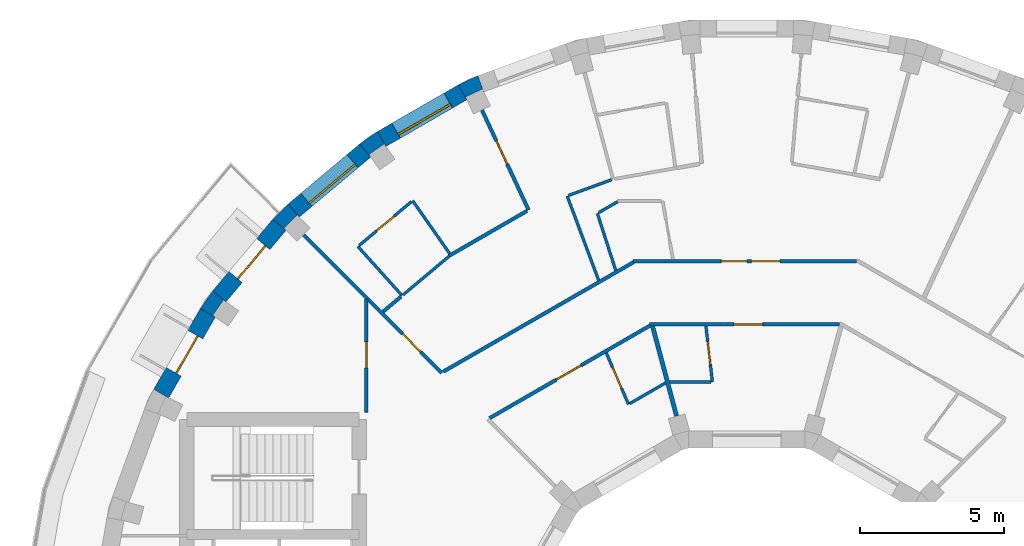
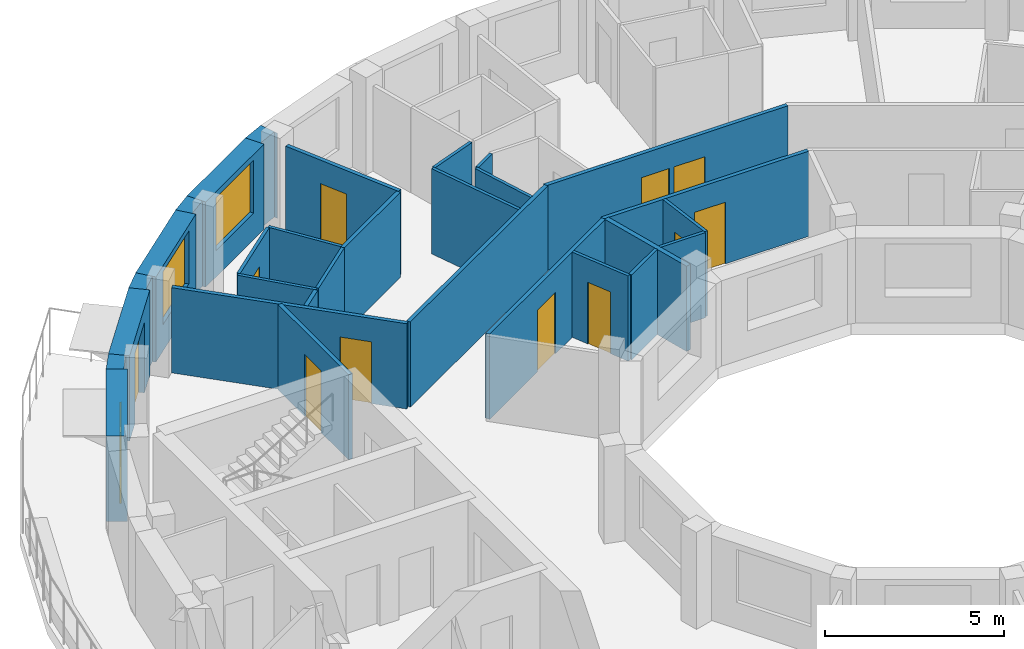
# One storey, part 7 of 10: 30 walls, 12 doors, 2 windows, 14 openings.
"""IFC4 building model written with IfcOpenShell, lengths in metres."""

import ifcopenshell
import ifcopenshell.guid

model = None  # the IFC model being written
_history = None  # IfcOwnerHistory: only IFC2X3 demands one
_inside = {}  # id of a spatial element -> (the spatial element, [elements in it])
_under = {}  # id of a project, library or spatial element -> (it, [spatial elements below it])
_declared = {}  # id of a project -> (the project, [libraries it declares])
_typed = {}  # id of a type object -> (the type object, [elements of that type])
_made_of = {}  # id of a material, layer set ... -> (it, [elements and type objects made of it])


def new_model(schema):
    """Start an empty IFC model of exactly this schema.

    Asked for "IFC4X3", IfcOpenShell would pick the latest addendum, in which some entities
    have other attributes; the version numbers below select the first issue.
    IFC2X3 requires an IfcOwnerHistory on every rooted entity: one is made here for all.
    """
    global model, _history
    if schema == "IFC4X3":
        model = ifcopenshell.file(schema_version=(4, 3, 0, 0))
    else:
        model = ifcopenshell.file(schema=schema)
    _inside.clear()
    _under.clear()
    _declared.clear()
    _typed.clear()
    _made_of.clear()
    _history = None
    if model.schema == "IFC2X3":
        org = make("IfcOrganization", Name="unknown")
        user = make(
            "IfcPersonAndOrganization",
            ThePerson=make("IfcPerson", FamilyName="unknown"),
            TheOrganization=org,
        )
        app = make(
            "IfcApplication",
            ApplicationDeveloper=org,
            Version="unknown",
            ApplicationFullName="unknown",
            ApplicationIdentifier="unknown",
        )
        _history = make(
            "IfcOwnerHistory",
            OwningUser=user,
            OwningApplication=app,
            ChangeAction="ADDED",
            CreationDate=0,
        )
    return model


def make(cls, **values):
    """One entity of the class cls with the attributes given. An attribute that is None is left unset."""
    return model.create_entity(
        cls, **{name: value for name, value in values.items() if value is not None}
    )


def rooted(cls, **values):
    """An entity with a GlobalId (a new one), such as an element, a storey or a relation."""
    return make(cls, GlobalId=ifcopenshell.guid.new(), OwnerHistory=_history, **values)


def si_unit(unit_type, name, prefix=None):
    """IfcSIUnit, for example si_unit("LENGTHUNIT", "METRE", prefix="MILLI")."""
    return make("IfcSIUnit", UnitType=unit_type, Prefix=prefix, Name=name)


def assignment(units):
    """IfcUnitAssignment: the units of a project."""
    return None if units is None else make("IfcUnitAssignment", Units=units)


def point(xyz):
    """IfcCartesianPoint."""
    return None if xyz is None else make("IfcCartesianPoint", Coordinates=xyz)


def direction(xyz):
    """IfcDirection."""
    return None if xyz is None else make("IfcDirection", DirectionRatios=xyz)


def frame(location, z_axis=None, x_axis=None):
    """IfcAxis2Placement3D, a coordinate frame: its origin and axes. An axis left out is left unset."""
    return make(
        "IfcAxis2Placement3D",
        Location=point(location),
        Axis=direction(z_axis),
        RefDirection=direction(x_axis),
    )


def frame_2d(location, x_axis=None):
    """IfcAxis2Placement2D, a coordinate frame in the plane: its origin and x axis."""
    return make(
        "IfcAxis2Placement2D", Location=point(location), RefDirection=direction(x_axis)
    )


def origin():
    """The frame at (0, 0, 0) with its axes left unset."""
    return frame((0.0, 0.0, 0.0))


def place(relative_to, where):
    """IfcLocalPlacement: puts the frame where relative to a parent placement (None: the world)."""
    return make(
        "IfcLocalPlacement", PlacementRelTo=relative_to, RelativePlacement=where
    )


def context(
    kind, dimensions, precision=None, world=None, true_north=None, identifier=None
):
    """IfcGeometricRepresentationContext, for example the 3D "Model" context."""
    return make(
        "IfcGeometricRepresentationContext",
        ContextIdentifier=identifier,
        ContextType=kind,
        CoordinateSpaceDimension=dimensions,
        Precision=precision,
        WorldCoordinateSystem=world,
        TrueNorth=true_north,
    )


def subcontext(parent, identifier, kind, view, scale=None):
    """IfcGeometricRepresentationSubContext, for example "Body" below "Model"."""
    return make(
        "IfcGeometricRepresentationSubContext",
        ContextIdentifier=identifier,
        ContextType=kind,
        ParentContext=parent,
        TargetScale=scale,
        TargetView=view,
    )


def project(units=None, contexts=None):
    """IfcProject with its units and contexts."""
    return rooted(
        "IfcProject",
        Name="project",
        RepresentationContexts=contexts,
        UnitsInContext=assignment(units),
    )


def spatial(cls, under=None, at=None, **own):
    """A site, building, storey or space (cls), placed at a placement, below another one or the project."""
    s = rooted(cls, ObjectPlacement=at, **own)
    if under is not None:
        _under.setdefault(under.id(), (under, []))[1].append(s)
    return s


def polyline(points):
    """IfcPolyline through the points."""
    return make("IfcPolyline", Points=[point(p) for p in points])


def profile(cls, at=None, kind="AREA", **sizes):
    """A parametric profile (cls). Its sizes go by their IFC names, for example OverallWidth=200.0."""
    return make(cls, ProfileType=kind, Position=at, **sizes)


def rectangle(**sizes):
    """IfcRectangleProfileDef."""
    return profile("IfcRectangleProfileDef", **sizes)


def outline(outer, holes=None, kind="AREA"):
    """IfcArbitraryClosedProfileDef: a profile drawn as a closed curve; with holes, ...WithVoids."""
    if holes is None:
        return make("IfcArbitraryClosedProfileDef", ProfileType=kind, OuterCurve=outer)
    return make(
        "IfcArbitraryProfileDefWithVoids",
        ProfileType=kind,
        OuterCurve=outer,
        InnerCurves=holes,
    )


def extrude(swept, where, along, depth):
    """IfcExtrudedAreaSolid: the profile swept, set in the frame where, extruded along a direction by depth."""
    return make(
        "IfcExtrudedAreaSolid",
        SweptArea=swept,
        Position=where,
        ExtrudedDirection=direction(along),
        Depth=depth,
    )


def shape(context_of_items, identifier, shape_type, items):
    """IfcShapeRepresentation: the items that make up one representation, for example the "Body"."""
    return make(
        "IfcShapeRepresentation",
        ContextOfItems=context_of_items,
        RepresentationIdentifier=identifier,
        RepresentationType=shape_type,
        Items=items,
    )


def material(Name=None, Category=None):
    """IfcMaterial."""
    return make("IfcMaterial", Name=Name, Category=Category)


def layer(
    of_material, thickness, ventilated=None, Name=None, Category=None, Priority=None
):
    """IfcMaterialLayer: one layer of a wall or slab, of a material (None: an air gap)."""
    return make(
        "IfcMaterialLayer",
        Material=of_material,
        LayerThickness=thickness,
        IsVentilated=ventilated,
        Name=Name,
        Category=Category,
        Priority=Priority,
    )


def layer_set(layers, Name=None):
    """IfcMaterialLayerSet."""
    return make("IfcMaterialLayerSet", MaterialLayers=layers, LayerSetName=Name)


def made_of(thing, what):
    """Note that an element or type object is made of a material, layer set ...; save() writes the relation."""
    if what is not None:
        _made_of.setdefault(what.id(), (what, []))[1].append(thing)
    return thing


def type_object(cls, material=None, **own):
    """A type object (cls), such as IfcWallType, which elements share."""
    return made_of(rooted(cls, **own), material)


def element(
    cls,
    number,
    at=None,
    inside=None,
    cuts=None,
    type_object=None,
    material=None,
    context=None,
    identifier="Body",
    shape_type=None,
    held_by="IfcProductDefinitionShape",
    body=None,
    shapes=None,
    **own,
):
    """One element of the class cls, such as IfcWall. Its Tag is "e" and its number.

    at: its placement. inside: the storey or other place that contains it. cuts: it is an
    opening in that element (IfcRelVoidsElement). A single representation is given by context,
    identifier, shape_type and body (its items); several are given by shapes. held_by: the class
    of the entity that holds the representations. save() writes the other relations.
    """
    e = rooted(cls, Tag="e%d" % number, ObjectPlacement=at, **own)
    if body is not None:
        shapes = [shape(context, identifier, shape_type, body)]
    if shapes is not None:
        e.Representation = make(held_by, Representations=shapes)
    if inside is not None:
        _inside.setdefault(inside.id(), (inside, []))[1].append(e)
    if cuts is not None:
        rooted(
            "IfcRelVoidsElement", RelatingBuildingElement=cuts, RelatedOpeningElement=e
        )
    if type_object is not None:
        _typed.setdefault(type_object.id(), (type_object, []))[1].append(e)
    return made_of(e, material)


def fill(opening, filler):
    """IfcRelFillsElement: the door or window that sits in an opening."""
    return rooted(
        "IfcRelFillsElement",
        RelatingOpeningElement=opening,
        RelatedBuildingElement=filler,
    )


def aggregate(whole, parts):
    """IfcRelAggregates: a whole, such as a stair, and the parts it consists of."""
    return rooted("IfcRelAggregates", RelatingObject=whole, RelatedObjects=parts)


def save(model, path):
    """Write the relations noted so far, then the file.

    IfcRelAggregates (storeys below a building ...), IfcRelContainedInSpatialStructure (elements
    in a storey), IfcRelDefinesByType, IfcRelAssociatesMaterial and IfcRelDeclares: one each for
    every whole, place, type object, material and project.
    """
    for whole, parts in _under.values():
        aggregate(whole, parts)
    for where, things in _inside.values():
        rooted(
            "IfcRelContainedInSpatialStructure",
            RelatedElements=things,
            RelatingStructure=where,
        )
    for kind, things in _typed.values():
        rooted("IfcRelDefinesByType", RelatedObjects=things, RelatingType=kind)
    for what, things in _made_of.values():
        rooted("IfcRelAssociatesMaterial", RelatedObjects=things, RelatingMaterial=what)
    for by, libraries in _declared.values():
        rooted("IfcRelDeclares", RelatingContext=by, RelatedDefinitions=libraries)
    model.write(path)


model = new_model("IFC4")

# Units and contexts
model_context = context("Model", 3, precision=1e-05, world=origin(), true_north=direction((0.0, 1.0)))
body_context = subcontext(model_context, "Body", "Model", "MODEL_VIEW")
ifc_project = project(units=[si_unit("LENGTHUNIT", "METRE"), si_unit("AREAUNIT", "SQUARE_METRE"), si_unit("VOLUMEUNIT", "CUBIC_METRE"), si_unit("PLANEANGLEUNIT", "RADIAN"), si_unit("MASSUNIT", "GRAM", prefix="KILO")], contexts=[model_context])

# Site, building, storey
site_placement = place(None, origin())
site = spatial("IfcSite", under=ifc_project, at=site_placement, CompositionType="ELEMENT")
building_placement = place(site_placement, origin())
building = spatial("IfcBuilding", under=site, at=building_placement, Name="Saqina Gate Tower", CompositionType="ELEMENT")
storey_placement = place(building_placement, frame((0.0, 0.0, 246.199951171875)))
storey = spatial("IfcBuildingStorey", under=building, at=storey_placement, Name="L70", CompositionType="ELEMENT", Elevation=246.199951171875)

# Walls
ifc_material_1 = material(Name="Brick masonry (buff)", Category="masonry")
wall_type_1 = type_object("IfcWallType", Name="BRICK PIER COPING BUFF", PredefinedType="SOLIDWALL", material=ifc_material_1)
wall_1_placement = place(storey_placement, origin())
element("IfcWall", 1, at=wall_1_placement, inside=storey, type_object=wall_type_1, Name="Pier cap L70 column 12", PredefinedType="SOLIDWALL", context=body_context, shape_type="SweptSolid", body=[
    extrude(outline(polyline([(-9.3642578125, 20.974609375), (-10.048095703125, 20.65576171875), (-9.748291015625, 20.135986328125), (-9.79296875, 20.23193359375), (-9.203857421875, 20.506591796875), (-9.1591796875, 20.410888671875), (-9.3642578125, 20.974609375)])), origin(), (0.0, 0.0, 1.0), 2.900146484375),
])
wall_2_placement = place(storey_placement, origin())
element("IfcWall", 2, at=wall_2_placement, inside=storey, type_object=wall_type_1, Name="Pier cap L70 column 13", PredefinedType="SOLIDWALL", context=body_context, shape_type="SweptSolid", body=[
    extrude(outline(polyline([(-12.8642578125, 19.02978515625), (-13.482421875, 18.59716796875), (-13.0966796875, 18.137451171875), (-13.157470703125, 18.22412109375), (-12.625, 18.596923828125), (-12.564208984375, 18.51025390625), (-12.8642578125, 19.02978515625)])), origin(), (0.0, 0.0, 1.0), 2.900146484375),
])
wall_3_placement = place(storey_placement, origin())
element("IfcWall", 3, at=wall_3_placement, inside=storey, type_object=wall_type_1, Name="Pier cap L70 column 14", PredefinedType="SOLIDWALL", context=body_context, shape_type="SweptSolid", body=[
    extrude(outline(polyline([(-16.5068359375, 15.973388671875), (-16.04736328125, 15.587646484375), (-16.1220703125, 15.662353515625), (-15.662353515625, 16.1220703125), (-15.587646484375, 16.04736328125), (-15.973388671875, 16.5068359375), (-16.5068359375, 15.973388671875)])), origin(), (0.0, 0.0, 1.0), 2.900146484375),
])
wall_4_placement = place(storey_placement, origin())
element("IfcWall", 4, at=wall_4_placement, inside=storey, type_object=wall_type_1, Name="Pier cap L70 column 15", PredefinedType="SOLIDWALL", context=body_context, shape_type="SweptSolid", body=[
    extrude(outline(polyline([(-19.02978515625, 12.8642578125), (-18.51025390625, 12.564208984375), (-18.596923828125, 12.625), (-18.22412109375, 13.157470703125), (-18.137451171875, 13.0966796875), (-18.59716796875, 13.482421875), (-19.02978515625, 12.8642578125)])), origin(), (0.0, 0.0, 1.0), 2.900146484375),
])

# Wall, opening, window
ifc_material_2 = material(Name="Brick masonry (buff)", Category="masonry")
ifc_layer_1 = layer(ifc_material_2, 0.60009765625)
ifc_layer_set_1 = layer_set([ifc_layer_1], Name="FW-BRICK-BUFF")
wall_type_2 = type_object("IfcWallType", Name="FW-BRICK-BUFF", PredefinedType="SOLIDWALL", material=ifc_layer_set_1)
wall_5_placement = place(storey_placement, frame((-9.898193359375, 20.39599609375, 0.0), z_axis=(0.0, 0.0, 1.0), x_axis=(-0.866016800201, -0.500014901547, 0.0)))
wall_5 = element("IfcWall", 5, at=wall_5_placement, inside=storey, type_object=wall_type_2, Name="Facade wall L70 facet 12", PredefinedType="SOLIDWALL", context=body_context, shape_type="SweptSolid", body=[
    extrude(rectangle(XDim=3.251953125, YDim=0.60009765625, at=frame_2d((1.6259765625, 0.0))), origin(), (0.0, 0.0, 1.0), 2.900146484375),
])
opening_1_placement = place(wall_5_placement, frame((0.57568359375, 0.0, 0.89990234375)))
opening_1 = element("IfcOpeningElement", 6, at=opening_1_placement, cuts=wall_5, Name="Opening G20-W10", PredefinedType="OPENING", context=body_context, shape_type="SweptSolid", body=[
    extrude(rectangle(XDim=2.10009765625, YDim=1.800048828125, at=frame_2d((1.050048828125, 0.89990234375))), frame((0.0, 0.31201171875, 0.0), z_axis=(0.0, -1.0, 0.0), x_axis=(1.0, 0.0, 0.0)), (0.0, 0.0, 1.0), 0.6240234375),
])
ifc_material_3 = material(Name="Aluminium glazing", Category="aluminium")
window_type = type_object("IfcWindowType", Name="WN-D", PartitioningType="SINGLE_PANEL", PredefinedType="WINDOW", material=ifc_material_3)
window_1_placement = place(opening_1_placement, origin())
window_1 = element("IfcWindow", 7, at=window_1_placement, inside=storey, type_object=window_type, Name="Window L70 facet 12", OverallHeight=1.800048828125, OverallWidth=2.10009765625, PartitioningType="SINGLE_PANEL", PredefinedType="WINDOW", context=body_context, shape_type="SweptSolid", body=[
    extrude(rectangle(XDim=2.10009765625, YDim=1.800048828125, at=frame_2d((1.050048828125, 0.89990234375))), frame((0.0, 0.179931640625, 0.0), z_axis=(0.0, -1.0, 0.0), x_axis=(1.0, 0.0, 0.0)), (0.0, 0.0, 1.0), 0.06005859375),
])
fill(opening_1, window_1)

wall_6_placement = place(storey_placement, frame((-13.28955078125, 18.3671875, 0.0), z_axis=(0.0, 0.0, 1.0), x_axis=(-0.766056773982, -0.64277291405, 0.0)))
wall_6 = element("IfcWall", 8, at=wall_6_placement, inside=storey, type_object=wall_type_2, Name="Facade wall L70 facet 13", PredefinedType="SOLIDWALL", context=body_context, shape_type="SweptSolid", body=[
    extrude(rectangle(XDim=3.251708984375, YDim=0.60009765625, at=frame_2d((1.6259765625, 0.0))), origin(), (0.0, 0.0, 1.0), 2.900146484375),
])
opening_2_placement = place(wall_6_placement, frame((0.57568359375, 0.0, 0.89990234375)))
opening_2 = element("IfcOpeningElement", 9, at=opening_2_placement, cuts=wall_6, Name="Opening G20-W11", PredefinedType="OPENING", context=body_context, shape_type="SweptSolid", body=[
    extrude(rectangle(XDim=2.10009765625, YDim=1.800048828125, at=frame_2d((1.050048828125, 0.89990234375))), frame((0.0, 0.31201171875, 0.0), z_axis=(0.0, -1.0, 0.0), x_axis=(1.0, 0.0, 0.0)), (0.0, 0.0, 1.0), 0.6240234375),
])
window_2_placement = place(opening_2_placement, origin())
window_2 = element("IfcWindow", 10, at=window_2_placement, inside=storey, type_object=window_type, Name="Window L70 facet 13", OverallHeight=1.800048828125, OverallWidth=2.10009765625, PartitioningType="SINGLE_PANEL", PredefinedType="WINDOW", context=body_context, shape_type="SweptSolid", body=[
    extrude(rectangle(XDim=2.10009765625, YDim=1.800048828125, at=frame_2d((1.050048828125, 0.89990234375))), frame((0.0, 0.179931640625, 0.0), z_axis=(0.0, -1.0, 0.0), x_axis=(1.0, 0.0, 0.0)), (0.0, 0.0, 1.0), 0.06005859375),
])
fill(opening_2, window_2)

# Wall, opening, door
wall_7_placement = place(storey_placement, frame((-16.277099609375, 15.780517578125, 0.0), z_axis=(0.0, 0.0, 1.0), x_axis=(-0.64277291405, -0.766056773982, 0.0)))
wall_7 = element("IfcWall", 11, at=wall_7_placement, inside=storey, type_object=wall_type_2, Name="Facade wall L70 facet 14", PredefinedType="SOLIDWALL", context=body_context, shape_type="SweptSolid", body=[
    extrude(rectangle(XDim=3.251708984375, YDim=0.60009765625, at=frame_2d((1.6259765625, 0.0))), origin(), (0.0, 0.0, 1.0), 2.900146484375),
])
opening_3_placement = place(wall_7_placement, frame((0.875732421875, 0.0, 0.0)))
opening_3 = element("IfcOpeningElement", 12, at=opening_3_placement, cuts=wall_7, Name="Opening G20-D80", PredefinedType="OPENING", context=body_context, shape_type="SweptSolid", body=[
    extrude(rectangle(XDim=1.5, YDim=2.39990234375, at=frame_2d((0.75, 1.199951171875))), frame((0.0, 0.31201171875, 0.0), z_axis=(0.0, -1.0, 0.0), x_axis=(1.0, 0.0, 0.0)), (0.0, 0.0, 1.0), 0.6240234375),
])
ifc_material_4 = material(Name="Aluminium glazing", Category="aluminium")
door_type_1 = type_object("IfcDoorType", Name="GD-D", OperationType="DOUBLE_DOOR_SINGLE_SWING", PredefinedType="DOOR", material=ifc_material_4)
door_1_placement = place(opening_3_placement, frame((1.5, 0.0, 0.0), z_axis=(0.0, 0.0, 1.0), x_axis=(-1.0, 0.0, 0.0)))
door_1 = element("IfcDoor", 13, at=door_1_placement, inside=storey, type_object=door_type_1, Name="Terrace door L70 facet 14", OperationType="DOUBLE_DOOR_SINGLE_SWING", OverallHeight=2.39990234375, OverallWidth=1.5, PredefinedType="DOOR", context=body_context, shape_type="SweptSolid", body=[
    extrude(rectangle(XDim=1.5, YDim=2.39990234375, at=frame_2d((0.75, 1.199951171875))), frame((0.0, -0.0751953125, 0.0), z_axis=(0.0, -1.0, 0.0), x_axis=(1.0, 0.0, 0.0)), (0.0, 0.0, 1.0), 0.050048828125),
])
fill(opening_3, door_1)

wall_8_placement = place(storey_placement, frame((-18.77001953125, 12.71435546875, 0.0), z_axis=(0.0, 0.0, 1.0), x_axis=(-0.500014901547, -0.866016800201, 0.0)))
wall_8 = element("IfcWall", 14, at=wall_8_placement, inside=storey, type_object=wall_type_2, Name="Facade wall L70 facet 15", PredefinedType="SOLIDWALL", context=body_context, shape_type="SweptSolid", body=[
    extrude(rectangle(XDim=3.251953125, YDim=0.60009765625, at=frame_2d((1.6259765625, 0.0))), origin(), (0.0, 0.0, 1.0), 2.900146484375),
])
opening_4_placement = place(wall_8_placement, frame((0.875732421875, 0.0, 0.0)))
opening_4 = element("IfcOpeningElement", 15, at=opening_4_placement, cuts=wall_8, Name="Opening G20-D81", PredefinedType="OPENING", context=body_context, shape_type="SweptSolid", body=[
    extrude(rectangle(XDim=1.5, YDim=2.39990234375, at=frame_2d((0.75, 1.199951171875))), frame((0.0, 0.31201171875, 0.0), z_axis=(0.0, -1.0, 0.0), x_axis=(1.0, 0.0, 0.0)), (0.0, 0.0, 1.0), 0.6240234375),
])
door_2_placement = place(opening_4_placement, frame((1.5, 0.0, 0.0), z_axis=(0.0, 0.0, 1.0), x_axis=(-1.0, 0.0, 0.0)))
door_2 = element("IfcDoor", 16, at=door_2_placement, inside=storey, type_object=door_type_1, Name="Terrace door L70 facet 15", OperationType="DOUBLE_DOOR_SINGLE_SWING", OverallHeight=2.39990234375, OverallWidth=1.5, PredefinedType="DOOR", context=body_context, shape_type="SweptSolid", body=[
    extrude(rectangle(XDim=1.5, YDim=2.39990234375, at=frame_2d((0.75, 1.199951171875))), frame((0.0, -0.0751953125, 0.0), z_axis=(0.0, -1.0, 0.0), x_axis=(1.0, 0.0, 0.0)), (0.0, 0.0, 1.0), 0.050048828125),
])
fill(opening_4, door_2)

ifc_material_5 = material(Name="Gypsum board on steel studs, 100 mm", Category="steel")
ifc_layer_2 = layer(ifc_material_5, 0.10009765625)
ifc_layer_set_2 = layer_set([ifc_layer_2], Name="PARTITION 100")
wall_type_3 = type_object("IfcWallType", Name="PARTITION 100", PredefinedType="PARTITIONING", material=ifc_layer_set_2)
wall_9_placement = place(storey_placement, frame((-1.421875, 12.247802734375, 0.0), z_axis=(0.0, 0.0, 1.0), x_axis=(0.115265376048, -0.993334733654, 0.0)))
wall_9 = element("IfcWall", 17, at=wall_9_placement, inside=storey, type_object=wall_type_3, Name="PARTITION PW3-02", PredefinedType="PARTITIONING", context=body_context, shape_type="SweptSolid", body=[
    extrude(rectangle(XDim=1.95068359375, YDim=0.10009765625, at=frame_2d((0.975341796875, 0.0))), origin(), (0.0, 0.0, 1.0), 2.900146484375),
])
opening_5_placement = place(wall_9_placement, frame((0.544189453125, 0.0, 0.0)))
opening_5 = element("IfcOpeningElement", 18, at=opening_5_placement, cuts=wall_9, Name="Opening G20-D11", PredefinedType="OPENING", context=body_context, shape_type="SweptSolid", body=[
    extrude(rectangle(XDim=0.800048828125, YDim=2.10009765625, at=frame_2d((0.39990234375, 1.050048828125))), frame((0.0, 0.06201171875, 0.0), z_axis=(0.0, -1.0, 0.0), x_axis=(1.0, 0.0, 0.0)), (0.0, 0.0, 1.0), 0.1240234375),
])
ifc_material_6 = material(Name="Timber door leaf, 800 mm", Category="wood")
door_type_2 = type_object("IfcDoorType", Name="DOOR 800 TIMBER", OperationType="SINGLE_SWING_LEFT", PredefinedType="DOOR", material=ifc_material_6)
door_3_placement = place(opening_5_placement, origin())
door_3 = element("IfcDoor", 19, at=door_3_placement, inside=storey, type_object=door_type_2, Name="DOOR G20-D11", OperationType="SINGLE_SWING_LEFT", OverallHeight=2.10009765625, OverallWidth=0.800048828125, PredefinedType="DOOR", context=body_context, shape_type="SweptSolid", body=[
    extrude(rectangle(XDim=0.800048828125, YDim=2.10009765625, at=frame_2d((0.39990234375, 1.050048828125))), frame((0.0, 0.02490234375, 0.0), z_axis=(0.0, -1.0, 0.0), x_axis=(1.0, 0.0, 0.0)), (0.0, 0.0, 1.0), 0.050048828125),
])
fill(opening_5, door_3)

# Walls
wall_10_placement = place(storey_placement, frame((-5.201904296875, 16.176025390625, 0.0), z_axis=(0.0, 0.0, 1.0), x_axis=(0.305778015567, -0.95210283331, 0.0)))
element("IfcWall", 20, at=wall_10_placement, inside=storey, type_object=wall_type_3, Name="PARTITION PW3-07", PredefinedType="PARTITIONING", context=body_context, shape_type="SweptSolid", body=[
    extrude(rectangle(XDim=2.08544921875, YDim=0.10009765625, at=frame_2d((1.042724609375, 0.0))), origin(), (0.0, 0.0, 1.0), 2.900146484375),
])
wall_11_placement = place(storey_placement, frame((-6.254150390625, 16.783447265625, 0.0), z_axis=(0.0, 0.0, 1.0), x_axis=(0.349354612584, -0.936990584086, 0.0)))
element("IfcWall", 21, at=wall_11_placement, inside=storey, type_object=wall_type_3, Name="PARTITION PW3-09", PredefinedType="PARTITIONING", context=body_context, shape_type="SweptSolid", body=[
    extrude(rectangle(XDim=3.132080078125, YDim=0.10009765625, at=frame_2d((1.56591796875, 0.0))), origin(), (0.0, 0.0, 1.0), 2.900146484375),
])

# Wall, opening, door
wall_12_placement = place(storey_placement, frame((-4.89208984375, 11.317626953125, 0.0), z_axis=(0.0, 0.0, 1.0), x_axis=(0.396862705984, -0.917877983503, 0.0)))
wall_12 = element("IfcWall", 22, at=wall_12_placement, inside=storey, type_object=wall_type_3, Name="PARTITION PW3-10", PredefinedType="PARTITIONING", context=body_context, shape_type="SweptSolid", body=[
    extrude(rectangle(XDim=1.95068359375, YDim=0.10009765625, at=frame_2d((0.975341796875, 0.0))), origin(), (0.0, 0.0, 1.0), 2.900146484375),
])
opening_6_placement = place(wall_12_placement, frame((0.544189453125, 0.0, 0.0)))
opening_6 = element("IfcOpeningElement", 23, at=opening_6_placement, cuts=wall_12, Name="Opening G20-D14", PredefinedType="OPENING", context=body_context, shape_type="SweptSolid", body=[
    extrude(rectangle(XDim=0.800048828125, YDim=2.10009765625, at=frame_2d((0.39990234375, 1.050048828125))), frame((0.0, 0.06201171875, 0.0), z_axis=(0.0, -1.0, 0.0), x_axis=(1.0, 0.0, 0.0)), (0.0, 0.0, 1.0), 0.1240234375),
])
door_4_placement = place(opening_6_placement, frame((0.800048828125, 0.0, 0.0), z_axis=(0.0, 0.0, 1.0), x_axis=(-1.0, 0.0, 0.0)))
door_4 = element("IfcDoor", 24, at=door_4_placement, inside=storey, type_object=door_type_2, Name="DOOR G20-D14", OperationType="SINGLE_SWING_RIGHT", OverallHeight=2.10009765625, OverallWidth=0.800048828125, PredefinedType="DOOR", context=body_context, shape_type="SweptSolid", body=[
    extrude(rectangle(XDim=0.800048828125, YDim=2.10009765625, at=frame_2d((0.39990234375, 1.050048828125))), frame((0.0, 0.02490234375, 0.0), z_axis=(0.0, -1.0, 0.0), x_axis=(1.0, 0.0, 0.0)), (0.0, 0.0, 1.0), 0.050048828125),
])
fill(opening_6, door_4)

# Walls
wall_13_placement = place(storey_placement, frame((-11.63623046875, 16.6181640625, 0.0), z_axis=(0.0, 0.0, 1.0), x_axis=(0.573600447395, -0.819135231051, 0.0)))
element("IfcWall", 25, at=wall_13_placement, inside=storey, type_object=wall_type_3, Name="PARTITION PW3-12", PredefinedType="PARTITIONING", context=body_context, shape_type="SweptSolid", body=[
    extrude(rectangle(XDim=2.254150390625, YDim=0.10009765625, at=frame_2d((1.126953125, 0.0))), origin(), (0.0, 0.0, 1.0), 2.900146484375),
])
wall_14_placement = place(storey_placement, frame((-13.54248046875, 15.0224609375, 0.0), z_axis=(0.0, 0.0, 1.0), x_axis=(0.669234230629, -0.743051508682, 0.0)))
element("IfcWall", 26, at=wall_14_placement, inside=storey, type_object=wall_type_3, Name="PARTITION PW3-14", PredefinedType="PARTITIONING", context=body_context, shape_type="SweptSolid", body=[
    extrude(rectangle(XDim=2.302001953125, YDim=0.10009765625, at=frame_2d((1.15087890625, 0.0))), origin(), (0.0, 0.0, 1.0), 2.900146484375),
])
wall_15_placement = place(storey_placement, frame((-2.68798828125, 10.31005859375, 0.0), z_axis=(0.0, 0.0, 1.0), x_axis=(1.0, 0.0, 0.0)))
element("IfcWall", 27, at=wall_15_placement, inside=storey, type_object=wall_type_3, Name="PARTITION PW3-26", PredefinedType="PARTITIONING", context=body_context, shape_type="SweptSolid", body=[
    extrude(rectangle(XDim=1.44091796875, YDim=0.10009765625, at=frame_2d((0.720458984375, 0.0))), origin(), (0.0, 0.0, 1.0), 2.900146484375),
])
wall_16_placement = place(storey_placement, frame((-6.206298828125, 16.802978515625, 0.0), z_axis=(0.0, 0.0, 1.0), x_axis=(0.939561559708, 0.342380016237, 0.0)))
element("IfcWall", 28, at=wall_16_placement, inside=storey, type_object=wall_type_3, Name="PARTITION PW3-32", PredefinedType="PARTITIONING", context=body_context, shape_type="SweptSolid", body=[
    extrude(rectangle(XDim=1.60009765625, YDim=0.10009765625, at=frame_2d((0.800048828125, 0.0))), origin(), (0.0, 0.0, 1.0), 2.900146484375),
])
wall_17_placement = place(storey_placement, frame((-4.07470703125, 9.552001953125, 0.0), z_axis=(0.0, 0.0, 1.0), x_axis=(0.865843856352, 0.500314317622, 0.0)))
element("IfcWall", 29, at=wall_17_placement, inside=storey, type_object=wall_type_3, Name="PARTITION PW3-35", PredefinedType="PARTITIONING", context=body_context, shape_type="SweptSolid", body=[
    extrude(rectangle(XDim=1.43994140625, YDim=0.10009765625, at=frame_2d((0.719970703125, 0.0))), origin(), (0.0, 0.0, 1.0), 2.900146484375),
])
wall_18_placement = place(storey_placement, frame((-5.15673828125, 16.2021484375, 0.0), z_axis=(0.0, 0.0, 1.0), x_axis=(0.865797482265, 0.500394564022, 0.0)))
element("IfcWall", 30, at=wall_18_placement, inside=storey, type_object=wall_type_3, Name="PARTITION PW3-36", PredefinedType="PARTITIONING", context=body_context, shape_type="SweptSolid", body=[
    extrude(rectangle(XDim=0.76513671875, YDim=0.10009765625, at=frame_2d((0.382568359375, 0.0))), origin(), (0.0, 0.0, 1.0), 2.900146484375),
])
wall_19_placement = place(storey_placement, frame((-11.963623046875, 13.34423828125, 0.0), z_axis=(0.0, 0.0, 1.0), x_axis=(0.766141495573, 0.64267192934, 0.0)))
element("IfcWall", 31, at=wall_19_placement, inside=storey, type_object=wall_type_3, Name="PARTITION PW3-38", PredefinedType="PARTITIONING", context=body_context, shape_type="SweptSolid", body=[
    extrude(rectangle(XDim=2.092041015625, YDim=0.10009765625, at=frame_2d((1.0458984375, 0.0))), origin(), (0.0, 0.0, 1.0), 2.900146484375),
])

# Wall, opening, door
wall_20_placement = place(storey_placement, frame((-13.502685546875, 15.055908203125, 0.0), z_axis=(0.0, 0.0, 1.0), x_axis=(0.766160636549, 0.642649110326, 0.0)))
wall_20 = element("IfcWall", 32, at=wall_20_placement, inside=storey, type_object=wall_type_3, Name="PARTITION PW3-39", PredefinedType="PARTITIONING", context=body_context, shape_type="SweptSolid", body=[
    extrude(rectangle(XDim=2.3837890625, YDim=0.10009765625, at=frame_2d((1.19189453125, 0.0))), origin(), (0.0, 0.0, 1.0), 2.900146484375),
])
opening_7_placement = place(wall_20_placement, frame((0.791259765625, 0.0, 0.0)))
opening_7 = element("IfcOpeningElement", 33, at=opening_7_placement, cuts=wall_20, Name="Opening G20-D17", PredefinedType="OPENING", context=body_context, shape_type="SweptSolid", body=[
    extrude(rectangle(XDim=0.800048828125, YDim=2.10009765625, at=frame_2d((0.39990234375, 1.050048828125))), frame((0.0, 0.06201171875, 0.0), z_axis=(0.0, -1.0, 0.0), x_axis=(1.0, 0.0, 0.0)), (0.0, 0.0, 1.0), 0.1240234375),
])
door_5_placement = place(opening_7_placement, origin())
door_5 = element("IfcDoor", 34, at=door_5_placement, inside=storey, type_object=door_type_2, Name="DOOR G20-D17", OperationType="SINGLE_SWING_LEFT", OverallHeight=2.10009765625, OverallWidth=0.800048828125, PredefinedType="DOOR", context=body_context, shape_type="SweptSolid", body=[
    extrude(rectangle(XDim=0.800048828125, YDim=2.10009765625, at=frame_2d((0.39990234375, 1.050048828125))), frame((0.0, 0.02490234375, 0.0), z_axis=(0.0, -1.0, 0.0), x_axis=(1.0, 0.0, 0.0)), (0.0, 0.0, 1.0), 0.050048828125),
])
fill(opening_7, door_5)

ifc_material_7 = material(Name="Gypsum board on steel studs, 125 mm, fire rated", Category="steel")
ifc_layer_3 = layer(ifc_material_7, 0.125)
ifc_layer_set_3 = layer_set([ifc_layer_3], Name="PARTITION EI 30 125")
wall_type_4 = type_object("IfcWallType", Name="PARTITION EI 30 125", PredefinedType="PARTITIONING", material=ifc_layer_set_3)
wall_21_placement = place(storey_placement, frame((-9.22021484375, 19.770751953125, 0.0), z_axis=(0.0, 0.0, 1.0), x_axis=(0.422997061032, -0.906131053633, 0.0)))
wall_21 = element("IfcWall", 35, at=wall_21_placement, inside=storey, type_object=wall_type_4, Name="PARTITION PW1-05", PredefinedType="PARTITIONING", context=body_context, shape_type="SweptSolid", body=[
    extrude(rectangle(XDim=3.83251953125, YDim=0.125, at=frame_2d((1.916259765625, 0.0))), origin(), (0.0, 0.0, 1.0), 2.900146484375),
])
opening_8_placement = place(wall_21_placement, frame((1.17578125, 0.0, 0.0)))
opening_8 = element("IfcOpeningElement", 36, at=opening_8_placement, cuts=wall_21, Name="Opening G20-D15", PredefinedType="OPENING", context=body_context, shape_type="SweptSolid", body=[
    extrude(rectangle(XDim=0.89990234375, YDim=2.10009765625, at=frame_2d((0.449951171875, 1.050048828125))), frame((0.0, 0.074462890625, 0.0), z_axis=(0.0, -1.0, 0.0), x_axis=(1.0, 0.0, 0.0)), (0.0, 0.0, 1.0), 0.14892578125),
])
ifc_material_8 = material(Name="Fire door leaf EI 30, 900 mm")
door_type_3 = type_object("IfcDoorType", Name="DOOR 900 EI 30", OperationType="SINGLE_SWING_LEFT", PredefinedType="DOOR", material=ifc_material_8)
door_6_placement = place(opening_8_placement, origin())
door_6 = element("IfcDoor", 37, at=door_6_placement, inside=storey, type_object=door_type_3, Name="DOOR G20-D15", OperationType="SINGLE_SWING_LEFT", OverallHeight=2.10009765625, OverallWidth=0.89990234375, PredefinedType="DOOR", context=body_context, shape_type="SweptSolid", body=[
    extrude(rectangle(XDim=0.89990234375, YDim=2.10009765625, at=frame_2d((0.449951171875, 1.050048828125))), frame((0.0, 0.02490234375, 0.0), z_axis=(0.0, -1.0, 0.0), x_axis=(1.0, 0.0, 0.0)), (0.0, 0.0, 1.0), 0.050048828125),
])
fill(opening_8, door_6)

wall_22_placement = place(storey_placement, frame((-15.425537109375, 15.425537109375, 0.0), z_axis=(0.0, 0.0, 1.0), x_axis=(0.707106781187, -0.707106781187, 0.0)))
wall_22 = element("IfcWall", 38, at=wall_22_placement, inside=storey, type_object=wall_type_4, Name="PARTITION PW1-06", PredefinedType="PARTITIONING", context=body_context, shape_type="SweptSolid", body=[
    extrude(rectangle(XDim=6.793212890625, YDim=0.125, at=frame_2d((3.396484375, 0.0))), origin(), (0.0, 0.0, 1.0), 2.900146484375),
])
opening_9_placement = place(wall_22_placement, frame((4.8642578125, 0.0, 0.0)))
opening_9 = element("IfcOpeningElement", 39, at=opening_9_placement, cuts=wall_22, Name="Opening G20-D18", PredefinedType="OPENING", context=body_context, shape_type="SweptSolid", body=[
    extrude(rectangle(XDim=0.89990234375, YDim=2.10009765625, at=frame_2d((0.449951171875, 1.050048828125))), frame((0.0, 0.074462890625, 0.0), z_axis=(0.0, -1.0, 0.0), x_axis=(1.0, 0.0, 0.0)), (0.0, 0.0, 1.0), 0.14892578125),
])
door_7_placement = place(opening_9_placement, origin())
door_7 = element("IfcDoor", 40, at=door_7_placement, inside=storey, type_object=door_type_3, Name="DOOR G20-D18", OperationType="SINGLE_SWING_RIGHT", OverallHeight=2.10009765625, OverallWidth=0.89990234375, PredefinedType="DOOR", context=body_context, shape_type="SweptSolid", body=[
    extrude(rectangle(XDim=0.89990234375, YDim=2.10009765625, at=frame_2d((0.449951171875, 1.050048828125))), frame((0.0, 0.02490234375, 0.0), z_axis=(0.0, -1.0, 0.0), x_axis=(1.0, 0.0, 0.0)), (0.0, 0.0, 1.0), 0.050048828125),
])
fill(opening_9, door_7)

wall_23_placement = place(storey_placement, frame((-3.384521484375, 12.31005859375, 0.0), z_axis=(0.0, 0.0, 1.0), x_axis=(1.0, 0.0, 0.0)))
wall_23 = element("IfcWall", 41, at=wall_23_placement, inside=storey, type_object=wall_type_4, Name="PARTITION PW1-19", PredefinedType="PARTITIONING", context=body_context, shape_type="SweptSolid", body=[
    extrude(rectangle(XDim=6.6201171875, YDim=0.125, at=frame_2d((3.31005859375, 0.0))), origin(), (0.0, 0.0, 1.0), 2.900146484375),
])
opening_10_placement = place(wall_23_placement, frame((2.935546875, 0.0, 0.0)))
opening_10 = element("IfcOpeningElement", 42, at=opening_10_placement, cuts=wall_23, Name="Opening G20-D08", PredefinedType="OPENING", context=body_context, shape_type="SweptSolid", body=[
    extrude(rectangle(XDim=1.0, YDim=2.10009765625, at=frame_2d((0.5, 1.050048828125))), frame((0.0, 0.074462890625, 0.0), z_axis=(0.0, -1.0, 0.0), x_axis=(1.0, 0.0, 0.0)), (0.0, 0.0, 1.0), 0.14892578125),
])
ifc_material_9 = material(Name="Fire door leaf EI 30, 1000 mm")
door_type_4 = type_object("IfcDoorType", Name="DOOR 1000 EI 30", OperationType="SINGLE_SWING_LEFT", PredefinedType="DOOR", material=ifc_material_9)
door_8_placement = place(opening_10_placement, frame((1.0, 0.0, 0.0), z_axis=(0.0, 0.0, 1.0), x_axis=(-1.0, 0.0, 0.0)))
door_8 = element("IfcDoor", 43, at=door_8_placement, inside=storey, type_object=door_type_4, Name="DOOR G20-D08", OperationType="SINGLE_SWING_LEFT", OverallHeight=2.10009765625, OverallWidth=1.0, PredefinedType="DOOR", context=body_context, shape_type="SweptSolid", body=[
    extrude(rectangle(XDim=1.0, YDim=2.10009765625, at=frame_2d((0.5, 1.050048828125))), frame((0.0, 0.02490234375, 0.0), z_axis=(0.0, -1.0, 0.0), x_axis=(1.0, 0.0, 0.0)), (0.0, 0.0, 1.0), 0.050048828125),
])
fill(opening_10, door_8)

# Wall, openings, doors
wall_24_placement = place(storey_placement, frame((-3.960205078125, 14.510009765625, 0.0), z_axis=(0.0, 0.0, 1.0), x_axis=(1.0, 0.0, 0.0)))
wall_24 = element("IfcWall", 44, at=wall_24_placement, inside=storey, type_object=wall_type_4, Name="PARTITION PW1-20", PredefinedType="PARTITIONING", context=body_context, shape_type="SweptSolid", body=[
    extrude(rectangle(XDim=7.78466796875, YDim=0.125, at=frame_2d((3.892333984375, 0.0))), origin(), (0.0, 0.0, 1.0), 2.900146484375),
])
opening_11_placement = place(wall_24_placement, frame((4.12451171875, 0.0, 0.0)))
opening_11 = element("IfcOpeningElement", 45, at=opening_11_placement, cuts=wall_24, Name="Opening G20-D07", PredefinedType="OPENING", context=body_context, shape_type="SweptSolid", body=[
    extrude(rectangle(XDim=1.0, YDim=2.10009765625, at=frame_2d((0.5, 1.050048828125))), frame((0.0, 0.074462890625, 0.0), z_axis=(0.0, -1.0, 0.0), x_axis=(1.0, 0.0, 0.0)), (0.0, 0.0, 1.0), 0.14892578125),
])
opening_12_placement = place(wall_24_placement, frame((3.07470703125, 0.0, 0.0)))
opening_12 = element("IfcOpeningElement", 46, at=opening_12_placement, cuts=wall_24, Name="Opening G20-D09", PredefinedType="OPENING", context=body_context, shape_type="SweptSolid", body=[
    extrude(rectangle(XDim=0.89990234375, YDim=2.10009765625, at=frame_2d((0.449951171875, 1.050048828125))), frame((0.0, 0.074462890625, 0.0), z_axis=(0.0, -1.0, 0.0), x_axis=(1.0, 0.0, 0.0)), (0.0, 0.0, 1.0), 0.14892578125),
])
door_9_placement = place(opening_11_placement, origin())
door_9 = element("IfcDoor", 47, at=door_9_placement, inside=storey, type_object=door_type_4, Name="DOOR G20-D07", OperationType="SINGLE_SWING_RIGHT", OverallHeight=2.10009765625, OverallWidth=1.0, PredefinedType="DOOR", context=body_context, shape_type="SweptSolid", body=[
    extrude(rectangle(XDim=1.0, YDim=2.10009765625, at=frame_2d((0.5, 1.050048828125))), frame((0.0, 0.02490234375, 0.0), z_axis=(0.0, -1.0, 0.0), x_axis=(1.0, 0.0, 0.0)), (0.0, 0.0, 1.0), 0.050048828125),
])
fill(opening_11, door_9)
door_10_placement = place(opening_12_placement, origin())
door_10 = element("IfcDoor", 48, at=door_10_placement, inside=storey, type_object=door_type_3, Name="DOOR G20-D09", OperationType="SINGLE_SWING_LEFT", OverallHeight=2.10009765625, OverallWidth=0.89990234375, PredefinedType="DOOR", context=body_context, shape_type="SweptSolid", body=[
    extrude(rectangle(XDim=0.89990234375, YDim=2.10009765625, at=frame_2d((0.449951171875, 1.050048828125))), frame((0.0, 0.02490234375, 0.0), z_axis=(0.0, -1.0, 0.0), x_axis=(1.0, 0.0, 0.0)), (0.0, 0.0, 1.0), 0.050048828125),
])
fill(opening_12, door_10)

# Wall
wall_25_placement = place(storey_placement, frame((-10.572998046875, 10.662353515625, 0.0), z_axis=(0.0, 0.0, 1.0), x_axis=(0.866792171996, 0.498669560497, 0.0)))
element("IfcWall", 49, at=wall_25_placement, inside=storey, type_object=wall_type_4, Name="PARTITION PW1-23", PredefinedType="PARTITIONING", context=body_context, shape_type="SweptSolid", body=[
    extrude(rectangle(XDim=7.650634765625, YDim=0.125, at=frame_2d((3.8251953125, 0.0))), origin(), (0.0, 0.0, 1.0), 2.900146484375),
])

# Wall, opening, door
wall_26_placement = place(storey_placement, frame((-8.957763671875, 9.043212890625, 0.0), z_axis=(0.0, 0.0, 1.0), x_axis=(0.866083637917, 0.499899121956, 0.0)))
wall_26 = element("IfcWall", 50, at=wall_26_placement, inside=storey, type_object=wall_type_4, Name="PARTITION PW1-26", PredefinedType="PARTITIONING", context=body_context, shape_type="SweptSolid", body=[
    extrude(rectangle(XDim=6.459716796875, YDim=0.125, at=frame_2d((3.22998046875, 0.0))), origin(), (0.0, 0.0, 1.0), 2.900146484375),
])
opening_13_placement = place(wall_26_placement, frame((2.68505859375, 0.0, 0.0)))
opening_13 = element("IfcOpeningElement", 51, at=opening_13_placement, cuts=wall_26, Name="Opening G20-D16", PredefinedType="OPENING", context=body_context, shape_type="SweptSolid", body=[
    extrude(rectangle(XDim=1.0, YDim=2.10009765625, at=frame_2d((0.5, 1.050048828125))), frame((0.0, 0.074462890625, 0.0), z_axis=(0.0, -1.0, 0.0), x_axis=(1.0, 0.0, 0.0)), (0.0, 0.0, 1.0), 0.14892578125),
])
door_11_placement = place(opening_13_placement, frame((1.0, 0.0, 0.0), z_axis=(0.0, 0.0, 1.0), x_axis=(-1.0, 0.0, 0.0)))
door_11 = element("IfcDoor", 52, at=door_11_placement, inside=storey, type_object=door_type_4, Name="DOOR G20-D16", OperationType="SINGLE_SWING_RIGHT", OverallHeight=2.10009765625, OverallWidth=1.0, PredefinedType="DOOR", context=body_context, shape_type="SweptSolid", body=[
    extrude(rectangle(XDim=1.0, YDim=2.10009765625, at=frame_2d((0.5, 1.050048828125))), frame((0.0, 0.02490234375, 0.0), z_axis=(0.0, -1.0, 0.0), x_axis=(1.0, 0.0, 0.0)), (0.0, 0.0, 1.0), 0.050048828125),
])
fill(opening_13, door_11)

# Walls
wall_27_placement = place(storey_placement, frame((-10.36865234375, 14.6982421875, 0.0), z_axis=(0.0, 0.0, 1.0), x_axis=(0.866303639744, 0.499517771221, 0.0)))
element("IfcWall", 53, at=wall_27_placement, inside=storey, type_object=wall_type_4, Name="PARTITION PW1-27", PredefinedType="PARTITIONING", context=body_context, shape_type="SweptSolid", body=[
    extrude(rectangle(XDim=3.13232421875, YDim=0.125, at=frame_2d((1.566162109375, 0.0))), origin(), (0.0, 0.0, 1.0), 2.900146484375),
])
wall_28_placement = place(storey_placement, frame((-12.6650390625, 12.755126953125, 0.0), z_axis=(0.0, 0.0, 1.0), x_axis=(0.765881991106, 0.642981162788, 0.0)))
element("IfcWall", 54, at=wall_28_placement, inside=storey, type_object=wall_type_4, Name="PARTITION PW1-28", PredefinedType="PARTITIONING", context=body_context, shape_type="SweptSolid", body=[
    extrude(rectangle(XDim=0.814453125, YDim=0.125, at=frame_2d((0.4072265625, 0.0))), origin(), (0.0, 0.0, 1.0), 2.900146484375),
])

# Wall, opening, door
wall_29_placement = place(storey_placement, frame((-13.25, 9.25, 0.0), z_axis=(0.0, 0.0, 1.0), x_axis=(0.0, 1.0, 0.0)))
wall_29 = element("IfcWall", 55, at=wall_29_placement, inside=storey, type_object=wall_type_4, Name="PARTITION PW1-42", PredefinedType="PARTITIONING", context=body_context, shape_type="SweptSolid", body=[
    extrude(rectangle(XDim=3.9375, YDim=0.125, at=frame_2d((1.96875, 0.0))), origin(), (0.0, 0.0, 1.0), 2.900146484375),
])
opening_14_placement = place(wall_29_placement, frame((1.550048828125, 0.0, 0.0)))
opening_14 = element("IfcOpeningElement", 56, at=opening_14_placement, cuts=wall_29, Name="Opening G20-D19", PredefinedType="OPENING", context=body_context, shape_type="SweptSolid", body=[
    extrude(rectangle(XDim=0.89990234375, YDim=2.10009765625, at=frame_2d((0.449951171875, 1.050048828125))), frame((0.0, 0.074462890625, 0.0), z_axis=(0.0, -1.0, 0.0), x_axis=(1.0, 0.0, 0.0)), (0.0, 0.0, 1.0), 0.14892578125),
])
door_12_placement = place(opening_14_placement, origin())
door_12 = element("IfcDoor", 57, at=door_12_placement, inside=storey, type_object=door_type_3, Name="DOOR G20-D19", OperationType="SINGLE_SWING_RIGHT", OverallHeight=2.10009765625, OverallWidth=0.89990234375, PredefinedType="DOOR", context=body_context, shape_type="SweptSolid", body=[
    extrude(rectangle(XDim=0.89990234375, YDim=2.10009765625, at=frame_2d((0.449951171875, 1.050048828125))), frame((0.0, 0.02490234375, 0.0), z_axis=(0.0, -1.0, 0.0), x_axis=(1.0, 0.0, 0.0)), (0.0, 0.0, 1.0), 0.050048828125),
])
fill(opening_14, door_12)

# Wall
ifc_material_10 = material(Name="Gypsum board on steel studs, 150 mm, fire rated", Category="steel")
ifc_layer_4 = layer(ifc_material_10, 0.14990234375)
ifc_layer_set_4 = layer_set([ifc_layer_4], Name="PARTITION EI 60 150")
wall_type_5 = type_object("IfcWallType", Name="PARTITION EI 60 150", PredefinedType="PARTITIONING", material=ifc_layer_set_4)
wall_30_placement = place(storey_placement, frame((-3.28125, 12.249755859375, 0.0), z_axis=(0.0, 0.0, 1.0), x_axis=(0.258127010189, -0.966110990834, 0.0)))
element("IfcWall", 58, at=wall_30_placement, inside=storey, type_object=wall_type_5, Name="PARTITION PW2-01", PredefinedType="PARTITIONING", context=body_context, shape_type="SweptSolid", body=[
    extrude(rectangle(XDim=3.239501953125, YDim=0.14990234375, at=frame_2d((1.61962890625, 0.0))), origin(), (0.0, 0.0, 1.0), 2.900146484375),
])

save(model, "model.ifc")
